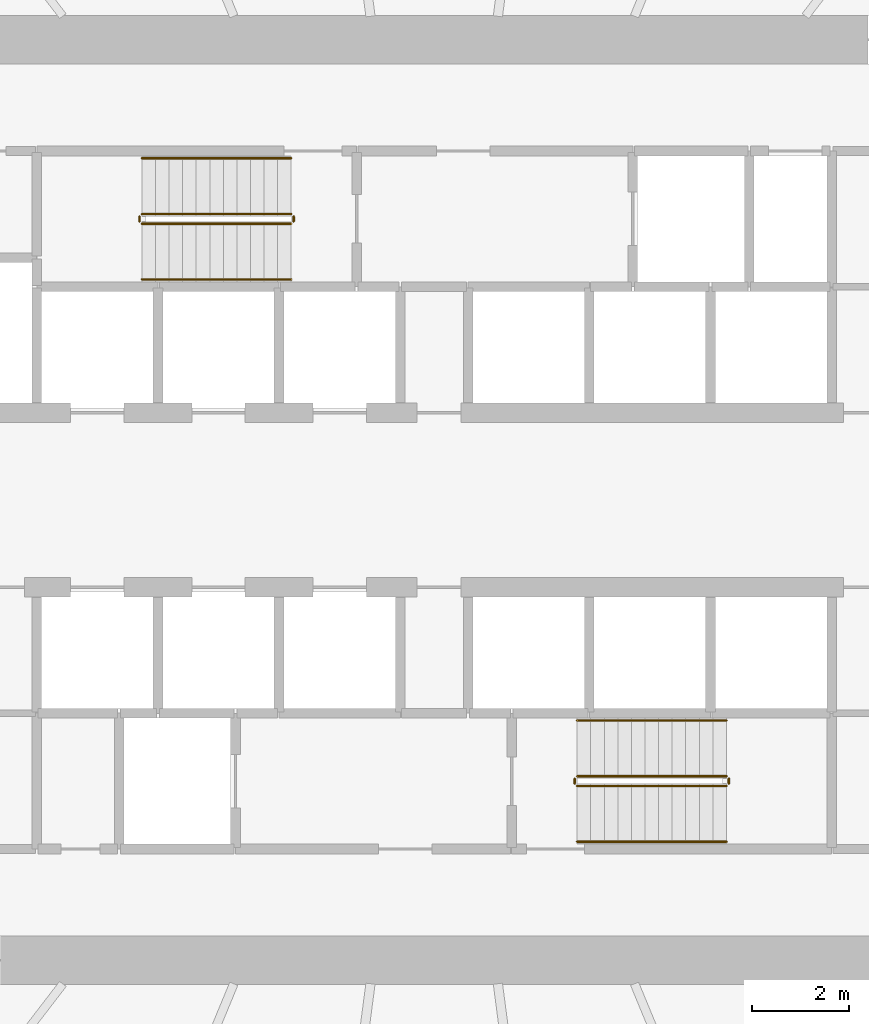
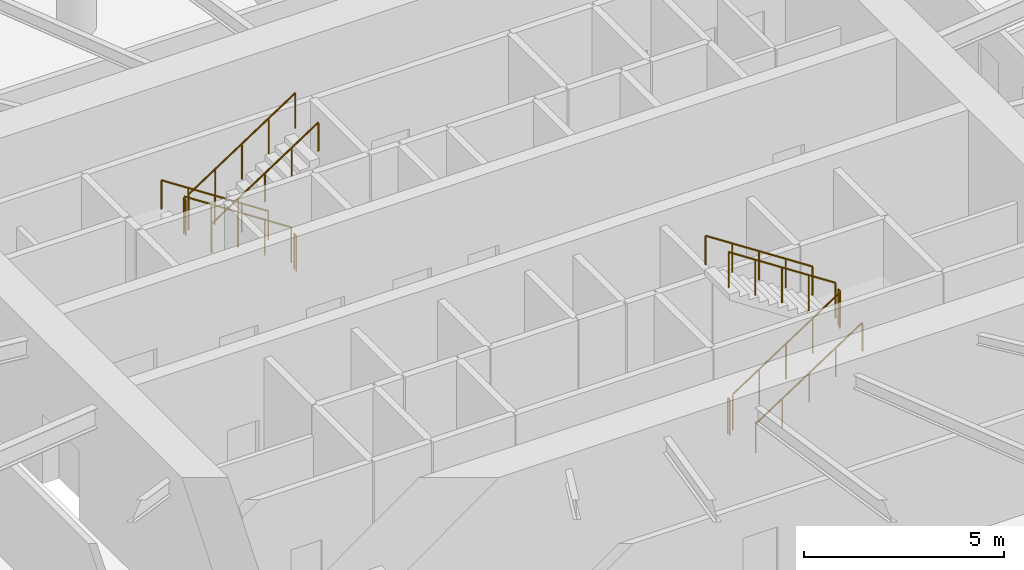
# One storey, part 18 of 19: 12 railings.
"""IFC4 building model written with IfcOpenShell, lengths in metres."""

from ifc_helpers import new_model, si_unit, direction, frame, origin, origin_2d, place, context, subcontext, project, spatial, circle, extrude, material, type_object, element, save


model = new_model("IFC4")

# Units and contexts
model_context = context("Model", 3, precision=1e-05, world=origin(), true_north=direction((0.0, 1.0)))
body_context = subcontext(model_context, "Body", "Model", "MODEL_VIEW")
ifc_project = project(units=[si_unit("LENGTHUNIT", "METRE"), si_unit("AREAUNIT", "SQUARE_METRE"), si_unit("VOLUMEUNIT", "CUBIC_METRE"), si_unit("PLANEANGLEUNIT", "RADIAN"), si_unit("MASSUNIT", "GRAM", prefix="KILO")], contexts=[model_context])

# Site, building, storey
site_placement = place(None, origin())
site = spatial("IfcSite", under=ifc_project, at=site_placement, CompositionType="ELEMENT")
building_placement = place(site_placement, origin())
building = spatial("IfcBuilding", under=site, at=building_placement, Name="Spindrift Exchange Tower", CompositionType="ELEMENT")
storey_placement = place(building_placement, frame((0.0, 0.0, 44.60009765625)))
storey = spatial("IfcBuildingStorey", under=building, at=storey_placement, Name="L10", CompositionType="ELEMENT", Elevation=44.60009765625)

# Railings
ifc_material_1 = material(Name="Steel balustrade", Category="steel")
railing_type_1 = type_object("IfcRailingType", Name="RL-STAIR-GUARD", PredefinedType="GUARDRAIL", material=ifc_material_1)
railing_1_placement = place(storey_placement, frame((49.050048828125, 53.89990234375, 0.183349609375)))
element("IfcRailing", 1, at=railing_1_placement, inside=storey, type_object=railing_type_1, Name="L10 ST1 stair guard 1", PredefinedType="GUARDRAIL", context=body_context, shape_type="SweptSolid", body=[
    extrude(circle(Radius=0.02392578125, at=origin_2d()), frame((0.0, 0.0, 1.076171875), z_axis=(-0.836633000464, 0.0, 0.547763838287), x_axis=(0.0, -1.0, 0.0)), (0.0, 0.0, 1.0), 3.681396484375),
    extrude(circle(Radius=0.02099609375, at=origin_2d()), origin(), (0.0, 0.0, 1.0), 1.052001953125),
    extrude(circle(Radius=0.02099609375, at=origin_2d()), frame((-0.77001953125, 0.0, 0.504150390625)), (0.0, 0.0, 1.0), 1.052001953125),
    extrude(circle(Radius=0.02099609375, at=origin_2d()), frame((-1.5400390625, 0.0, 1.00830078125)), (0.0, 0.0, 1.0), 1.052001953125),
    extrude(circle(Radius=0.02099609375, at=origin_2d()), frame((-2.31005859375, 0.0, 1.512451171875)), (0.0, 0.0, 1.0), 1.052001953125),
    extrude(circle(Radius=0.02099609375, at=origin_2d()), frame((-3.080078125, 0.0, 2.0166015625)), (0.0, 0.0, 1.0), 1.052001953125),
])
railing_2_placement = place(storey_placement, frame((45.919921875, 53.85009765625, 2.199951171875)))
element("IfcRailing", 2, at=railing_2_placement, inside=storey, type_object=railing_type_1, Name="L10 ST1 stair guard 2", PredefinedType="GUARDRAIL", context=body_context, shape_type="SweptSolid", body=[
    extrude(circle(Radius=0.02392578125, at=origin_2d()), frame((0.0, 0.0, 1.076171875), z_axis=(0.0, -1.0, 0.0), x_axis=(1.0, 0.0, 0.0)), (0.0, 0.0, 1.0), 0.10009765625),
    extrude(circle(Radius=0.02099609375, at=origin_2d()), origin(), (0.0, 0.0, 1.0), 1.052001953125),
    extrude(circle(Radius=0.02099609375, at=origin_2d()), frame((0.0, -0.10009765625, 0.0)), (0.0, 0.0, 1.0), 1.052001953125),
])
railing_3_placement = place(storey_placement, frame((45.969970703125, 53.699951171875, 2.38330078125)))
element("IfcRailing", 3, at=railing_3_placement, inside=storey, type_object=railing_type_1, Name="L10 ST1 stair guard 3", PredefinedType="GUARDRAIL", context=body_context, shape_type="SweptSolid", body=[
    extrude(circle(Radius=0.02392578125, at=origin_2d()), frame((0.0, 0.0, 1.076171875), z_axis=(0.836633000464, 0.0, 0.547763838287), x_axis=(0.0, 1.0, 0.0)), (0.0, 0.0, 1.0), 3.681396484375),
    extrude(circle(Radius=0.02099609375, at=origin_2d()), origin(), (0.0, 0.0, 1.0), 1.052001953125),
    extrude(circle(Radius=0.02099609375, at=origin_2d()), frame((0.77001953125, 0.0, 0.504150390625)), (0.0, 0.0, 1.0), 1.052001953125),
    extrude(circle(Radius=0.02099609375, at=origin_2d()), frame((1.5400390625, 0.0, 1.00830078125)), (0.0, 0.0, 1.0), 1.052001953125),
    extrude(circle(Radius=0.02099609375, at=origin_2d()), frame((2.31005859375, 0.0, 1.512451171875)), (0.0, 0.0, 1.0), 1.052001953125),
    extrude(circle(Radius=0.02099609375, at=origin_2d()), frame((3.080078125, 0.0, 2.0166015625)), (0.0, 0.0, 1.0), 1.052001953125),
])
railing_4_placement = place(storey_placement, frame((49.10009765625, 53.85009765625, 0.0)))
element("IfcRailing", 4, at=railing_4_placement, inside=storey, type_object=railing_type_1, Name="L10 ST1 stair guard 4", PredefinedType="GUARDRAIL", context=body_context, shape_type="SweptSolid", body=[
    extrude(circle(Radius=0.02392578125, at=origin_2d()), frame((0.0, 0.0, 1.076171875), z_axis=(0.0, -1.0, 0.0), x_axis=(1.0, 0.0, 0.0)), (0.0, 0.0, 1.0), 0.10009765625),
    extrude(circle(Radius=0.02099609375, at=origin_2d()), origin(), (0.0, 0.0, 1.0), 1.052001953125),
    extrude(circle(Radius=0.02099609375, at=origin_2d()), frame((0.0, -0.10009765625, 0.0)), (0.0, 0.0, 1.0), 1.052001953125),
])
railing_5_placement = place(storey_placement, frame((54.949951171875, 42.10009765625, 0.183349609375)))
element("IfcRailing", 5, at=railing_5_placement, inside=storey, type_object=railing_type_1, Name="L10 ST2 stair guard 1", PredefinedType="GUARDRAIL", context=body_context, shape_type="SweptSolid", body=[
    extrude(circle(Radius=0.02392578125, at=origin_2d()), frame((0.0, 0.0, 1.076171875), z_axis=(0.836633000464, 0.0, 0.547763838287), x_axis=(0.0, 1.0, 0.0)), (0.0, 0.0, 1.0), 3.681396484375),
    extrude(circle(Radius=0.02099609375, at=origin_2d()), origin(), (0.0, 0.0, 1.0), 1.052001953125),
    extrude(circle(Radius=0.02099609375, at=origin_2d()), frame((0.77001953125, 0.0, 0.504150390625)), (0.0, 0.0, 1.0), 1.052001953125),
    extrude(circle(Radius=0.02099609375, at=origin_2d()), frame((1.5400390625, 0.0, 1.00830078125)), (0.0, 0.0, 1.0), 1.052001953125),
    extrude(circle(Radius=0.02099609375, at=origin_2d()), frame((2.31005859375, 0.0, 1.512451171875)), (0.0, 0.0, 1.0), 1.052001953125),
    extrude(circle(Radius=0.02099609375, at=origin_2d()), frame((3.080078125, 0.0, 2.0166015625)), (0.0, 0.0, 1.0), 1.052001953125),
])
railing_6_placement = place(storey_placement, frame((58.080078125, 42.14990234375, 2.199951171875)))
element("IfcRailing", 6, at=railing_6_placement, inside=storey, type_object=railing_type_1, Name="L10 ST2 stair guard 2", PredefinedType="GUARDRAIL", context=body_context, shape_type="SweptSolid", body=[
    extrude(circle(Radius=0.02392578125, at=origin_2d()), frame((0.0, 0.0, 1.076171875), z_axis=(0.0, 1.0, 0.0), x_axis=(-1.0, 0.0, 0.0)), (0.0, 0.0, 1.0), 0.10009765625),
    extrude(circle(Radius=0.02099609375, at=origin_2d()), origin(), (0.0, 0.0, 1.0), 1.052001953125),
    extrude(circle(Radius=0.02099609375, at=origin_2d()), frame((0.0, 0.10009765625, 0.0)), (0.0, 0.0, 1.0), 1.052001953125),
])
railing_7_placement = place(storey_placement, frame((58.030029296875, 42.300048828125, 2.38330078125)))
element("IfcRailing", 7, at=railing_7_placement, inside=storey, type_object=railing_type_1, Name="L10 ST2 stair guard 3", PredefinedType="GUARDRAIL", context=body_context, shape_type="SweptSolid", body=[
    extrude(circle(Radius=0.02392578125, at=origin_2d()), frame((0.0, 0.0, 1.076171875), z_axis=(-0.836633000464, 0.0, 0.547763838287), x_axis=(0.0, -1.0, 0.0)), (0.0, 0.0, 1.0), 3.681396484375),
    extrude(circle(Radius=0.02099609375, at=origin_2d()), origin(), (0.0, 0.0, 1.0), 1.052001953125),
    extrude(circle(Radius=0.02099609375, at=origin_2d()), frame((-0.77001953125, 0.0, 0.504150390625)), (0.0, 0.0, 1.0), 1.052001953125),
    extrude(circle(Radius=0.02099609375, at=origin_2d()), frame((-1.5400390625, 0.0, 1.00830078125)), (0.0, 0.0, 1.0), 1.052001953125),
    extrude(circle(Radius=0.02099609375, at=origin_2d()), frame((-2.31005859375, 0.0, 1.512451171875)), (0.0, 0.0, 1.0), 1.052001953125),
    extrude(circle(Radius=0.02099609375, at=origin_2d()), frame((-3.080078125, 0.0, 2.0166015625)), (0.0, 0.0, 1.0), 1.052001953125),
])
railing_8_placement = place(storey_placement, frame((54.89990234375, 42.14990234375, 0.0)))
element("IfcRailing", 8, at=railing_8_placement, inside=storey, type_object=railing_type_1, Name="L10 ST2 stair guard 4", PredefinedType="GUARDRAIL", context=body_context, shape_type="SweptSolid", body=[
    extrude(circle(Radius=0.02392578125, at=origin_2d()), frame((0.0, 0.0, 1.076171875), z_axis=(0.0, 1.0, 0.0), x_axis=(-1.0, 0.0, 0.0)), (0.0, 0.0, 1.0), 0.10009765625),
    extrude(circle(Radius=0.02099609375, at=origin_2d()), origin(), (0.0, 0.0, 1.0), 1.052001953125),
    extrude(circle(Radius=0.02099609375, at=origin_2d()), frame((0.0, 0.10009765625, 0.0)), (0.0, 0.0, 1.0), 1.052001953125),
])
ifc_material_2 = material(Name="Steel tubular handrail", Category="steel")
railing_type_2 = type_object("IfcRailingType", Name="RL-STAIR-HAND", PredefinedType="HANDRAIL", material=ifc_material_2)
railing_9_placement = place(storey_placement, frame((49.050048828125, 55.050048828125, 0.183349609375)))
element("IfcRailing", 9, at=railing_9_placement, inside=storey, type_object=railing_type_2, Name="L10 ST1 stair handrail 1", PredefinedType="HANDRAIL", context=body_context, shape_type="SweptSolid", body=[
    extrude(circle(Radius=0.02392578125, at=origin_2d()), frame((0.0, 0.0, 0.8759765625), z_axis=(-0.836633000464, 0.0, 0.547763838287), x_axis=(0.0, -1.0, 0.0)), (0.0, 0.0, 1.0), 3.681396484375),
    extrude(circle(Radius=0.02099609375, at=origin_2d()), origin(), (0.0, 0.0, 1.0), 0.851806640625),
    extrude(circle(Radius=0.02099609375, at=origin_2d()), frame((-0.77001953125, 0.0, 0.504150390625)), (0.0, 0.0, 1.0), 0.851806640625),
    extrude(circle(Radius=0.02099609375, at=origin_2d()), frame((-1.5400390625, 0.0, 1.00830078125)), (0.0, 0.0, 1.0), 0.851806640625),
    extrude(circle(Radius=0.02099609375, at=origin_2d()), frame((-2.31005859375, 0.0, 1.512451171875)), (0.0, 0.0, 1.0), 0.851806640625),
    extrude(circle(Radius=0.02099609375, at=origin_2d()), frame((-3.080078125, 0.0, 2.0166015625)), (0.0, 0.0, 1.0), 0.851806640625),
])
for number, where, name in (
    (10, (45.969970703125, 52.550048828125, 2.38330078125), "L10 ST1 stair handrail 2"),
    (11, (54.949951171875, 40.949951171875, 0.183349609375), "L10 ST2 stair handrail 1"),
):
    element("IfcRailing", number, at=place(storey_placement, frame(where)), inside=storey, type_object=railing_type_2, Name=name, PredefinedType="HANDRAIL", context=body_context, shape_type="SweptSolid", body=[
        extrude(circle(Radius=0.02392578125, at=origin_2d()), frame((0.0, 0.0, 0.8759765625), z_axis=(0.836633000464, 0.0, 0.547763838287), x_axis=(0.0, 1.0, 0.0)), (0.0, 0.0, 1.0), 3.681396484375),
        extrude(circle(Radius=0.02099609375, at=origin_2d()), origin(), (0.0, 0.0, 1.0), 0.851806640625),
        extrude(circle(Radius=0.02099609375, at=origin_2d()), frame((0.77001953125, 0.0, 0.504150390625)), (0.0, 0.0, 1.0), 0.851806640625),
        extrude(circle(Radius=0.02099609375, at=origin_2d()), frame((1.5400390625, 0.0, 1.00830078125)), (0.0, 0.0, 1.0), 0.851806640625),
        extrude(circle(Radius=0.02099609375, at=origin_2d()), frame((2.31005859375, 0.0, 1.512451171875)), (0.0, 0.0, 1.0), 0.851806640625),
        extrude(circle(Radius=0.02099609375, at=origin_2d()), frame((3.080078125, 0.0, 2.0166015625)), (0.0, 0.0, 1.0), 0.851806640625),
    ])
railing_10_placement = place(storey_placement, frame((58.030029296875, 43.449951171875, 2.38330078125)))
element("IfcRailing", 12, at=railing_10_placement, inside=storey, type_object=railing_type_2, Name="L10 ST2 stair handrail 2", PredefinedType="HANDRAIL", context=body_context, shape_type="SweptSolid", body=[
    extrude(circle(Radius=0.02392578125, at=origin_2d()), frame((0.0, 0.0, 0.8759765625), z_axis=(-0.836633000464, 0.0, 0.547763838287), x_axis=(0.0, -1.0, 0.0)), (0.0, 0.0, 1.0), 3.681396484375),
    extrude(circle(Radius=0.02099609375, at=origin_2d()), origin(), (0.0, 0.0, 1.0), 0.851806640625),
    extrude(circle(Radius=0.02099609375, at=origin_2d()), frame((-0.77001953125, 0.0, 0.504150390625)), (0.0, 0.0, 1.0), 0.851806640625),
    extrude(circle(Radius=0.02099609375, at=origin_2d()), frame((-1.5400390625, 0.0, 1.00830078125)), (0.0, 0.0, 1.0), 0.851806640625),
    extrude(circle(Radius=0.02099609375, at=origin_2d()), frame((-2.31005859375, 0.0, 1.512451171875)), (0.0, 0.0, 1.0), 0.851806640625),
    extrude(circle(Radius=0.02099609375, at=origin_2d()), frame((-3.080078125, 0.0, 2.0166015625)), (0.0, 0.0, 1.0), 0.851806640625),
])

save(model, "model.ifc")
